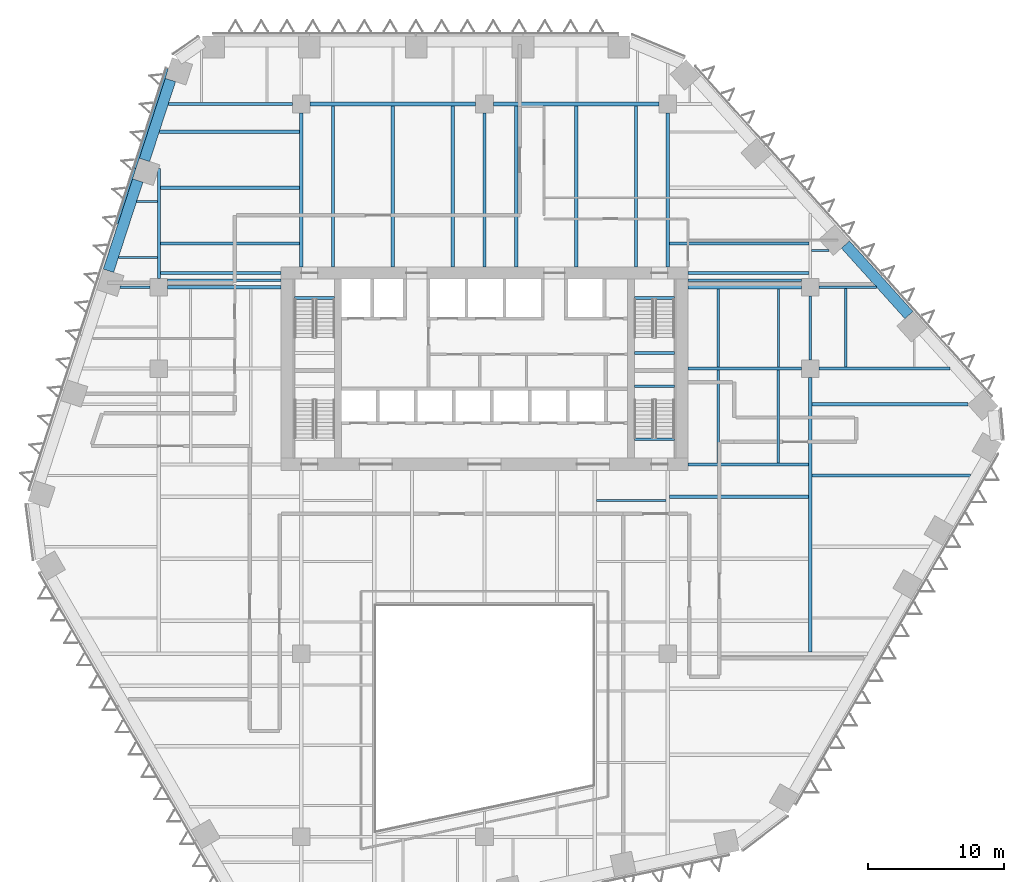
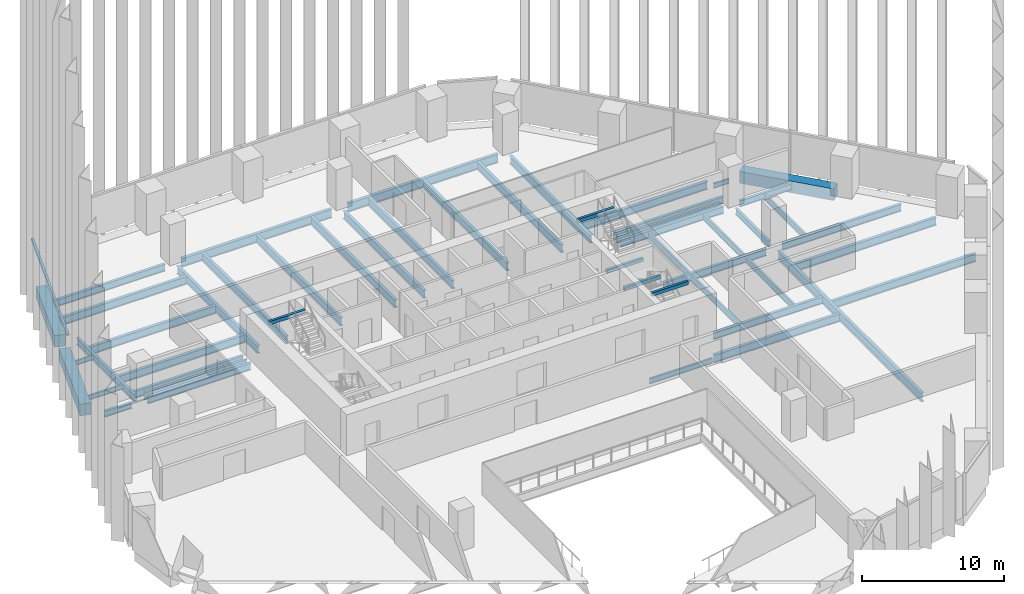
# One storey, part 9 of 24: 50 beams, 2 members, 1 element without a shape of its own.
"""IFC4 building model written with IfcOpenShell, lengths in metres."""

from ifc_helpers import new_model, si_unit, direction, frame, origin, origin_2d, place, context, subcontext, project, spatial, rectangle, i_section, extrude, material, layer, layer_set, material_profile, profile_set, type_object, element, aggregate, save


model = new_model("IFC4")

# Units and contexts
model_context = context("Model", 3, precision=1e-05, world=origin(), true_north=direction((0.0, 1.0)))
body_context = subcontext(model_context, "Body", "Model", "MODEL_VIEW")
ifc_project = project(units=[si_unit("LENGTHUNIT", "METRE"), si_unit("AREAUNIT", "SQUARE_METRE"), si_unit("VOLUMEUNIT", "CUBIC_METRE"), si_unit("PLANEANGLEUNIT", "RADIAN"), si_unit("MASSUNIT", "GRAM", prefix="KILO")], contexts=[model_context])

# Site, building, storey
site_placement = place(None, origin())
site = spatial("IfcSite", under=ifc_project, at=site_placement, CompositionType="ELEMENT")
building_placement = place(site_placement, origin())
building = spatial("IfcBuilding", under=site, at=building_placement, Name="Isthmus Gate Tower", CompositionType="ELEMENT")
storey_placement = place(building_placement, frame((0.0, 0.0, 80.64990234375)))
storey = spatial("IfcBuildingStorey", under=building, at=storey_placement, Name="L18", CompositionType="ELEMENT", Elevation=80.64990234375)

# Curtain wall, members
ifc_material_1 = material(Name="Aluminium, pale champagne anodised", Category="aluminium")
ifc_layer = layer(ifc_material_1, 0.199951171875)
ifc_layer_set = layer_set([ifc_layer], Name="CW-1 UNITISED CURTAIN WALL 200 DEEP")
curtain_wall_type = type_object("IfcCurtainWallType", Name="CW-1 UNITISED CURTAIN WALL 200 DEEP", PredefinedType="NOTDEFINED", material=ifc_layer_set)
curtain_wall_placement = place(storey_placement, origin())
curtain_wall = element("IfcCurtainWall", 1, at=curtain_wall_placement, inside=storey, type_object=curtain_wall_type, Name="CW-1 NW L18", PredefinedType="NOTDEFINED")
ifc_material_2 = material(Name="Aluminium, pale champagne anodised", Category="aluminium")
ifc_material_profile_1 = material_profile(ifc_material_2, rectangle(XDim=0.199951171875, YDim=0.14990234375, at=origin_2d()), Name="200x150")
ifc_profile_set_1 = profile_set([ifc_material_profile_1], Name="Aluminium, pale champagne anodised")
member_type = type_object("IfcMemberType", Name="CW-1 TRANSOM 200 X 150", PredefinedType="USERDEFINED", material=ifc_profile_set_1)
member_1_placement = place(storey_placement, frame((-23.389892578125, 29.6279296875, 3.5751953125), z_axis=(-0.309036077329, -0.951050315656, 0.0), x_axis=(0.951050315656, -0.309036077329, 0.0)))
member_1 = element("IfcMember", 2, at=member_1_placement, type_object=member_type, Name="CW-1 transom", ObjectType="TRANSOM", PredefinedType="USERDEFINED", context=body_context, shape_type="SweptSolid", body=[
    extrude(rectangle(XDim=0.199951171875, YDim=0.14990234375, at=origin_2d()), origin(), (0.0, 0.0, 1.0), 7.7294921875),
])
member_2_placement = place(storey_placement, frame((-25.778564453125, 22.27685546875, 3.5751953125), z_axis=(-0.309021801109, -0.951054954479, 0.0), x_axis=(0.951054954479, -0.309021801109, 0.0)))
member_2 = element("IfcMember", 3, at=member_2_placement, type_object=member_type, Name="CW-1 transom", ObjectType="TRANSOM", PredefinedType="USERDEFINED", context=body_context, shape_type="SweptSolid", body=[
    extrude(rectangle(XDim=0.199951171875, YDim=0.14990234375, at=origin_2d()), origin(), (0.0, 0.0, 1.0), 4.294677734375),
])
aggregate(curtain_wall, [member_1, member_2])

# Beams
ifc_material_3 = material(Name="Concrete f'c 70 MPa", Category="concrete")
ifc_material_profile_2 = material_profile(ifc_material_3, rectangle(XDim=0.800048828125, YDim=1.0, at=origin_2d()), Name="RC 800X1000")
ifc_profile_set_2 = profile_set([ifc_material_profile_2], Name="Concrete f'c 70 MPa")
beam_type_1 = type_object("IfcBeamType", Name="RC SPANDREL 800 X 1000", PredefinedType="SPANDREL", material=ifc_profile_set_2)
for number, where, z_axis, x_axis, name in (
    (4, (26.597900390625, 16.640380859375, -0.5), (0.669128753615, -0.743146493691, 0.0), (0.743146493691, 0.669128753615, 0.0), "str-spandrel-L18-03"),
    (5, (-27.7099609375, 14.71435546875, -0.5), (0.309029993465, 0.951052292537, 0.0), (-0.951052292537, 0.309029993465, 0.0), "str-spandrel-L18-20"),
):
    element("IfcBeam", number, at=place(storey_placement, frame(where, z_axis=z_axis, x_axis=x_axis)), inside=storey, type_object=beam_type_1, Name=name, PredefinedType="SPANDREL", context=body_context, shape_type="SweptSolid", body=[
        extrude(rectangle(XDim=0.800048828125, YDim=1.0, at=origin_2d()), origin(), (0.0, 0.0, 1.0), 6.9892578125),
    ])
beam_1_placement = place(storey_placement, frame((-25.0556640625, 22.88330078125, -0.5), z_axis=(0.309023635203, 0.951054358534, 0.0), x_axis=(-0.951054358534, 0.309023635203, 0.0)))
element("IfcBeam", 6, at=beam_1_placement, inside=storey, type_object=beam_type_1, Name="str-spandrel-L18-21", PredefinedType="SPANDREL", context=body_context, shape_type="SweptSolid", body=[
    extrude(rectangle(XDim=0.800048828125, YDim=1.0, at=origin_2d()), origin(), (0.0, 0.0, 1.0), 6.189208984375),
])
ifc_material_4 = material(Name="Concrete f'c 40 MPa", Category="concrete")
ifc_material_profile_3 = material_profile(ifc_material_4, rectangle(XDim=0.199951171875, YDim=0.300048828125, at=origin_2d()), Name="STAIR LANDING BEAM RC 200 X 300")
ifc_profile_set_3 = profile_set([ifc_material_profile_3], Name="Concrete f'c 40 MPa")
beam_type_2 = type_object("IfcBeamType", Name="STAIR LANDING BEAM RC 200 X 300", PredefinedType="BEAM", material=ifc_profile_set_3)
for number, where, z_axis, x_axis, name in (
    (7, (-14.0, 12.7001953125, 3.35009765625), (1.0, 0.0, 0.0), (0.0, 1.0, 0.0), "L18 ST1 floor-edge seat beam"),
    (8, (11.050048828125, 8.64990234375, 1.47509765625), (1.0, 0.0, 0.0), (0.0, 1.0, 0.0), "L18 ST2 landing beam 1"),
    (9, (11.050048828125, 12.7001953125, 3.35009765625), (1.0, 0.0, 0.0), (0.0, 1.0, 0.0), "L18 ST2 floor-edge seat beam"),
    (10, (11.050048828125, 6.199951171875, 1.47509765625), (1.0, 0.0, 0.0), (0.0, 1.0, 0.0), "L18 ST8 landing beam 1"),
    (11, (11.050048828125, 2.2998046875, 3.35009765625), (1.0, 0.0, 0.0), (0.0, 1.0, 0.0), "L18 ST8 floor-edge seat beam"),
):
    element("IfcBeam", number, at=place(storey_placement, frame(where, z_axis=z_axis, x_axis=x_axis)), inside=storey, type_object=beam_type_2, Name=name, PredefinedType="BEAM", context=body_context, shape_type="SweptSolid", body=[
        extrude(rectangle(XDim=0.199951171875, YDim=0.300048828125, at=origin_2d()), origin(), (0.0, 0.0, 1.0), 2.949951171875),
    ])
ifc_material_5 = material(Name="Structural steel ASTM A992 Gr 50", Category="steel")
ifc_material_profile_4 = material_profile(ifc_material_5, i_section(OverallWidth=0.1396484375, OverallDepth=0.4033203125, WebThickness=0.00634765625, FlangeThickness=0.010986328125, at=origin_2d()), Name="W16X31")
ifc_profile_set_4 = profile_set([ifc_material_profile_4], Name="Structural steel ASTM A992 Gr 50")
beam_type_3 = type_object("IfcBeamType", Name="STEEL FLOOR BEAM W16X31", PredefinedType="JOIST", material=ifc_profile_set_4)
beam_2_placement = place(storey_placement, frame((-26.976318359375, 15.677978515625, -0.3515625), z_axis=(1.0, 0.0, 0.0), x_axis=(0.0, 1.0, 0.0)))
element("IfcBeam", 12, at=beam_2_placement, inside=storey, type_object=beam_type_3, Name="str-beam-L18-02-00", PredefinedType="JOIST", context=body_context, shape_type="SweptSolid", body=[
    extrude(i_section(OverallWidth=0.1396484375, OverallDepth=0.4033203125, WebThickness=0.00634765625, FlangeThickness=0.010986328125, at=origin_2d()), origin(), (0.0, 0.0, 1.0), 2.862060546875),
])
beam_3_placement = place(storey_placement, frame((-25.629150390625, 19.82421875, -0.3515625), z_axis=(1.0, 0.0, 0.0), x_axis=(0.0, 1.0, 0.0)))
element("IfcBeam", 13, at=beam_3_placement, inside=storey, type_object=beam_type_3, Name="str-beam-L18-02-01", PredefinedType="JOIST", context=body_context, shape_type="SweptSolid", body=[
    extrude(i_section(OverallWidth=0.1396484375, OverallDepth=0.4033203125, WebThickness=0.00634765625, FlangeThickness=0.010986328125, at=origin_2d()), origin(), (0.0, 0.0, 1.0), 1.514892578125),
])
beam_4_placement = place(storey_placement, frame((24.104736328125, 16.208251953125, -0.3515625), z_axis=(1.0, 0.0, 0.0), x_axis=(0.0, 1.0, 0.0)))
element("IfcBeam", 14, at=beam_4_placement, inside=storey, type_object=beam_type_3, Name="str-beam-L18-32-00", PredefinedType="JOIST", context=body_context, shape_type="SweptSolid", body=[
    extrude(i_section(OverallWidth=0.1396484375, OverallDepth=0.4033203125, WebThickness=0.00634765625, FlangeThickness=0.010986328125, at=origin_2d()), origin(), (0.0, 0.0, 1.0), 1.267578125),
])
ifc_material_6 = material(Name="Structural steel ASTM A992 Gr 50", Category="steel")
ifc_material_profile_5 = material_profile(ifc_material_6, i_section(OverallWidth=0.15234375, OverallDepth=0.45068359375, WebThickness=0.0078125, FlangeThickness=0.010986328125, at=origin_2d()), Name="W18X35")
ifc_profile_set_5 = profile_set([ifc_material_profile_5], Name="Structural steel ASTM A992 Gr 50")
beam_type_4 = type_object("IfcBeamType", Name="STEEL FLOOR BEAM W18X35", PredefinedType="JOIST", material=ifc_profile_set_5)
beam_5_placement = place(storey_placement, frame((8.263427734375, -2.232421875, -0.375244140625), z_axis=(1.0, 0.0, 0.0), x_axis=(0.0, 1.0, 0.0)))
element("IfcBeam", 15, at=beam_5_placement, inside=storey, type_object=beam_type_4, Name="str-beam-L18-24-02", PredefinedType="JOIST", context=body_context, shape_type="SweptSolid", body=[
    extrude(i_section(OverallWidth=0.15234375, OverallDepth=0.45068359375, WebThickness=0.0078125, FlangeThickness=0.010986328125, at=origin_2d()), origin(), (0.0, 0.0, 1.0), 5.104736328125),
])
ifc_material_7 = material(Name="Structural steel ASTM A992 Gr 50", Category="steel")
ifc_material_profile_6 = material_profile(ifc_material_7, i_section(OverallWidth=0.1650390625, OverallDepth=0.52392578125, WebThickness=0.009521484375, FlangeThickness=0.010986328125, at=origin_2d()), Name="W21X44")
ifc_profile_set_6 = profile_set([ifc_material_profile_6], Name="Structural steel ASTM A992 Gr 50")
beam_type_5 = type_object("IfcBeamType", Name="STEEL FLOOR BEAM W21X44", PredefinedType="JOIST", material=ifc_profile_set_6)
for number, where, z_axis, x_axis, name in (
    (16, (17.223876953125, 7.6142578125, -0.411865234375), (0.0, 1.0, 0.0), (-1.0, 0.0, 0.0), "str-beam-L18-30-00"),
    (17, (21.67138671875, 7.6142578125, -0.411865234375), (0.0, 1.0, 0.0), (-1.0, 0.0, 0.0), "str-beam-L18-30-01"),
):
    element("IfcBeam", number, at=place(storey_placement, frame(where, z_axis=z_axis, x_axis=x_axis)), inside=storey, type_object=beam_type_5, Name=name, PredefinedType="JOIST", context=body_context, shape_type="SweptSolid", body=[
        extrude(i_section(OverallWidth=0.1650390625, OverallDepth=0.52392578125, WebThickness=0.009521484375, FlangeThickness=0.010986328125, at=origin_2d()), origin(), (0.0, 0.0, 1.0), 5.771484375),
    ])
for number, where, z_axis, x_axis, name in (
    (18, (17.216552734375, 0.564208984375, -0.411865234375), (0.0, 1.0, 0.0), (-1.0, 0.0, 0.0), "str-beam-L18-31-00"),
    (19, (21.64990234375, 0.564208984375, -0.411865234375), (0.0, 1.0, 0.0), (-1.0, 0.0, 0.0), "str-beam-L18-31-01"),
):
    element("IfcBeam", number, at=place(storey_placement, frame(where, z_axis=z_axis, x_axis=x_axis)), inside=storey, type_object=beam_type_5, Name=name, PredefinedType="JOIST", context=body_context, shape_type="SweptSolid", body=[
        extrude(i_section(OverallWidth=0.1650390625, OverallDepth=0.52392578125, WebThickness=0.009521484375, FlangeThickness=0.010986328125, at=origin_2d()), origin(), (0.0, 0.0, 1.0), 6.821533203125),
    ])
beam_6_placement = place(storey_placement, frame((26.625244140625, 7.6142578125, -0.411865234375), z_axis=(0.0, 1.0, 0.0), x_axis=(-1.0, 0.0, 0.0)))
element("IfcBeam", 20, at=beam_6_placement, inside=storey, type_object=beam_type_5, Name="str-beam-L18-33-00", PredefinedType="JOIST", context=body_context, shape_type="SweptSolid", body=[
    extrude(i_section(OverallWidth=0.1650390625, OverallDepth=0.52392578125, WebThickness=0.009521484375, FlangeThickness=0.010986328125, at=origin_2d()), origin(), (0.0, 0.0, 1.0), 5.781005859375),
])
ifc_material_8 = material(Name="Structural steel ASTM A992 Gr 50", Category="steel")
ifc_material_profile_7 = material_profile(ifc_material_8, i_section(OverallWidth=0.177734375, OverallDepth=0.60009765625, WebThickness=0.009521484375, FlangeThickness=0.0126953125, at=origin_2d()), Name="W24X55")
ifc_profile_set_7 = profile_set([ifc_material_profile_7], Name="Structural steel ASTM A992 Gr 50")
beam_type_6 = type_object("IfcBeamType", Name="STEEL FLOOR BEAM W24X55", PredefinedType="JOIST", material=ifc_profile_set_7)
for number, where, z_axis, x_axis, name in (
    (21, (-23.35009765625, 14.02490234375, -0.449951171875), (1.0, 0.0, 0.0), (0.0, 1.0, 0.0), "str-beam-L18-05-00"),
    (22, (15.0, 14.02490234375, -0.449951171875), (1.0, 0.0, 0.0), (0.0, 1.0, 0.0), "str-beam-L18-29-00"),
):
    element("IfcBeam", number, at=place(storey_placement, frame(where, z_axis=z_axis, x_axis=x_axis)), inside=storey, type_object=beam_type_6, Name=name, PredefinedType="JOIST", context=body_context, shape_type="SweptSolid", body=[
        extrude(i_section(OverallWidth=0.177734375, OverallDepth=0.60009765625, WebThickness=0.009521484375, FlangeThickness=0.0126953125, at=origin_2d()), origin(), (0.0, 0.0, 1.0), 8.35009765625),
    ])
ifc_material_9 = material(Name="Structural steel ASTM A992 Gr 50", Category="steel")
ifc_material_profile_8 = material_profile(ifc_material_9, i_section(OverallWidth=0.25390625, OverallDepth=0.679443359375, WebThickness=0.010986328125, FlangeThickness=0.015869140625, at=origin_2d()), Name="W27X84")
ifc_profile_set_8 = profile_set([ifc_material_profile_8], Name="Structural steel ASTM A992 Gr 50")
beam_type_7 = type_object("IfcBeamType", Name="STEEL FLOOR BEAM W27X84", PredefinedType="JOIST", material=ifc_profile_set_8)
for number, where, z_axis, x_axis, name in (
    (23, (-23.8857421875, 16.72021484375, -0.489501953125), (1.0, 0.0, 0.0), (0.0, 1.0, 0.0), "str-beam-L18-07-00"),
    (24, (-23.8857421875, 20.83203125, -0.489501953125), (1.0, 0.0, 0.0), (0.0, 1.0, 0.0), "str-beam-L18-07-01"),
):
    element("IfcBeam", number, at=place(storey_placement, frame(where, z_axis=z_axis, x_axis=x_axis)), inside=storey, type_object=beam_type_7, Name=name, PredefinedType="JOIST", context=body_context, shape_type="SweptSolid", body=[
        extrude(i_section(OverallWidth=0.25390625, OverallDepth=0.679443359375, WebThickness=0.010986328125, FlangeThickness=0.015869140625, at=origin_2d()), origin(), (0.0, 0.0, 1.0), 10.2587890625),
    ])
beam_7_placement = place(storey_placement, frame((-23.965576171875, 24.944091796875, -0.489501953125), z_axis=(1.0, 0.0, 0.0), x_axis=(0.0, 1.0, 0.0)))
element("IfcBeam", 25, at=beam_7_placement, inside=storey, type_object=beam_type_7, Name="str-beam-L18-07-02", PredefinedType="JOIST", context=body_context, shape_type="SweptSolid", body=[
    extrude(i_section(OverallWidth=0.25390625, OverallDepth=0.679443359375, WebThickness=0.010986328125, FlangeThickness=0.015869140625, at=origin_2d()), origin(), (0.0, 0.0, 1.0), 10.338623046875),
])
for number, where, z_axis, x_axis, name in (
    (26, (-11.165283203125, 15.0, -0.489501953125), (0.0, 1.0, 0.0), (-1.0, 0.0, 0.0), "str-beam-L18-14-00"),
    (27, (-6.75, 15.0, -0.489501953125), (0.0, 1.0, 0.0), (-1.0, 0.0, 0.0), "str-beam-L18-14-01"),
    (28, (-2.334716796875, 15.0, -0.489501953125), (0.0, 1.0, 0.0), (-1.0, 0.0, 0.0), "str-beam-L18-14-02"),
    (29, (2.334716796875, 15.0, -0.489501953125), (0.0, 1.0, 0.0), (-1.0, 0.0, 0.0), "str-beam-L18-21-00"),
    (30, (6.75, 15.0, -0.489501953125), (0.0, 1.0, 0.0), (-1.0, 0.0, 0.0), "str-beam-L18-21-01"),
    (31, (11.165283203125, 15.0, -0.489501953125), (0.0, 1.0, 0.0), (-1.0, 0.0, 0.0), "str-beam-L18-21-02"),
):
    element("IfcBeam", number, at=place(storey_placement, frame(where, z_axis=z_axis, x_axis=x_axis)), inside=storey, type_object=beam_type_7, Name=name, PredefinedType="JOIST", context=body_context, shape_type="SweptSolid", body=[
        extrude(i_section(OverallWidth=0.25390625, OverallDepth=0.679443359375, WebThickness=0.010986328125, FlangeThickness=0.015869140625, at=origin_2d()), origin(), (0.0, 0.0, 1.0), 11.8681640625),
    ])
beam_8_placement = place(storey_placement, frame((13.626953125, 16.72021484375, -0.489501953125), z_axis=(1.0, 0.0, 0.0), x_axis=(0.0, 1.0, 0.0)))
element("IfcBeam", 32, at=beam_8_placement, inside=storey, type_object=beam_type_7, Name="str-beam-L18-26-00", PredefinedType="JOIST", context=body_context, shape_type="SweptSolid", body=[
    extrude(i_section(OverallWidth=0.25390625, OverallDepth=0.679443359375, WebThickness=0.010986328125, FlangeThickness=0.015869140625, at=origin_2d()), origin(), (0.0, 0.0, 1.0), 10.268310546875),
])
beam_9_placement = place(storey_placement, frame((13.6318359375, -1.947998046875, -0.489501953125), z_axis=(1.0, 0.0, 0.0), x_axis=(0.0, 1.0, 0.0)))
element("IfcBeam", 33, at=beam_9_placement, inside=storey, type_object=beam_type_7, Name="str-beam-L18-27-02", PredefinedType="JOIST", context=body_context, shape_type="SweptSolid", body=[
    extrude(i_section(OverallWidth=0.25390625, OverallDepth=0.679443359375, WebThickness=0.010986328125, FlangeThickness=0.015869140625, at=origin_2d()), origin(), (0.0, 0.0, 1.0), 10.23486328125),
])
beam_10_placement = place(storey_placement, frame((24.13330078125, -0.375, -0.489501953125), z_axis=(1.0, 0.0, 0.0), x_axis=(0.0, 1.0, 0.0)))
element("IfcBeam", 34, at=beam_10_placement, inside=storey, type_object=beam_type_7, Name="str-beam-L18-34-02", PredefinedType="JOIST", context=body_context, shape_type="SweptSolid", body=[
    extrude(i_section(OverallWidth=0.25390625, OverallDepth=0.679443359375, WebThickness=0.010986328125, FlangeThickness=0.015869140625, at=origin_2d()), origin(), (0.0, 0.0, 1.0), 11.6767578125),
])
beam_11_placement = place(storey_placement, frame((24.13330078125, 4.875, -0.489501953125), z_axis=(1.0, 0.0, 0.0), x_axis=(0.0, 1.0, 0.0)))
element("IfcBeam", 35, at=beam_11_placement, inside=storey, type_object=beam_type_7, Name="str-beam-L18-34-03", PredefinedType="JOIST", context=body_context, shape_type="SweptSolid", body=[
    extrude(i_section(OverallWidth=0.25390625, OverallDepth=0.679443359375, WebThickness=0.010986328125, FlangeThickness=0.015869140625, at=origin_2d()), origin(), (0.0, 0.0, 1.0), 11.484130859375),
])
ifc_material_10 = material(Name="Structural steel ASTM A992 Gr 50", Category="steel")
ifc_material_profile_9 = material_profile(ifc_material_10, i_section(OverallWidth=0.20947265625, OverallDepth=0.533447265625, WebThickness=0.009521484375, FlangeThickness=0.015869140625, at=origin_2d()), Name="W21X62")
ifc_profile_set_9 = profile_set([ifc_material_profile_9], Name="Structural steel ASTM A992 Gr 50")
beam_type_8 = type_object("IfcBeamType", Name="STEEL GIRDER W21X62", PredefinedType="BEAM", material=ifc_profile_set_9)
beam_12_placement = place(storey_placement, frame((-26.8427734375, 13.5, -0.41650390625), z_axis=(1.0, 0.0, 0.0), x_axis=(0.0, 1.0, 0.0)))
element("IfcBeam", 36, at=beam_12_placement, inside=storey, type_object=beam_type_8, Name="str-girder-L18-13", PredefinedType="BEAM", context=body_context, shape_type="SweptSolid", body=[
    extrude(i_section(OverallWidth=0.20947265625, OverallDepth=0.533447265625, WebThickness=0.009521484375, FlangeThickness=0.015869140625, at=origin_2d()), origin(), (0.0, 0.0, 1.0), 2.19287109375),
])
beam_13_placement = place(storey_placement, frame((24.64990234375, 13.5, -0.41650390625), z_axis=(1.0, 0.0, 0.0), x_axis=(0.0, 1.0, 0.0)))
element("IfcBeam", 37, at=beam_13_placement, inside=storey, type_object=beam_type_8, Name="str-girder-L18-16", PredefinedType="BEAM", context=body_context, shape_type="SweptSolid", body=[
    extrude(i_section(OverallWidth=0.20947265625, OverallDepth=0.533447265625, WebThickness=0.009521484375, FlangeThickness=0.015869140625, at=origin_2d()), origin(), (0.0, 0.0, 1.0), 4.2373046875),
])
beam_14_placement = place(storey_placement, frame((24.0, 8.14990234375, -0.41650390625), z_axis=(0.0, 1.0, 0.0), x_axis=(-1.0, 0.0, 0.0)))
element("IfcBeam", 38, at=beam_14_placement, inside=storey, type_object=beam_type_8, Name="str-girder-L18-37", PredefinedType="BEAM", context=body_context, shape_type="SweptSolid", body=[
    extrude(i_section(OverallWidth=0.20947265625, OverallDepth=0.533447265625, WebThickness=0.009521484375, FlangeThickness=0.015869140625, at=origin_2d()), origin(), (0.0, 0.0, 1.0), 4.7001953125),
])
ifc_material_11 = material(Name="Structural steel ASTM A992 Gr 50", Category="steel")
ifc_material_profile_10 = material_profile(ifc_material_11, i_section(OverallWidth=0.228515625, OverallDepth=0.6064453125, WebThickness=0.010986328125, FlangeThickness=0.017578125, at=origin_2d()), Name="W24X76")
ifc_profile_set_10 = profile_set([ifc_material_profile_10], Name="Structural steel ASTM A992 Gr 50")
beam_type_9 = type_object("IfcBeamType", Name="STEEL GIRDER W24X76", PredefinedType="BEAM", material=ifc_profile_set_10)
beam_15_placement = place(storey_placement, frame((15.0, 7.5, -0.453125), z_axis=(1.0, 0.0, 0.0), x_axis=(0.0, 1.0, 0.0)))
element("IfcBeam", 39, at=beam_15_placement, inside=storey, type_object=beam_type_9, Name="str-girder-L18-11", PredefinedType="BEAM", context=body_context, shape_type="SweptSolid", body=[
    extrude(i_section(OverallWidth=0.228515625, OverallDepth=0.6064453125, WebThickness=0.010986328125, FlangeThickness=0.017578125, at=origin_2d()), origin(), (0.0, 0.0, 1.0), 8.35009765625),
])
beam_16_placement = place(storey_placement, frame((24.64990234375, 7.5, -0.453125), z_axis=(1.0, 0.0, 0.0), x_axis=(0.0, 1.0, 0.0)))
element("IfcBeam", 40, at=beam_16_placement, inside=storey, type_object=beam_type_9, Name="str-girder-L18-12", PredefinedType="BEAM", context=body_context, shape_type="SweptSolid", body=[
    extrude(i_section(OverallWidth=0.228515625, OverallDepth=0.6064453125, WebThickness=0.010986328125, FlangeThickness=0.017578125, at=origin_2d()), origin(), (0.0, 0.0, 1.0), 9.639892578125),
])
for number, where, z_axis, x_axis, name in (
    (41, (-23.35009765625, 13.5, -0.453125), (1.0, 0.0, 0.0), (0.0, 1.0, 0.0), "str-girder-L18-14"),
    (42, (15.0, 13.5, -0.453125), (1.0, 0.0, 0.0), (0.0, 1.0, 0.0), "str-girder-L18-15"),
):
    element("IfcBeam", number, at=place(storey_placement, frame(where, z_axis=z_axis, x_axis=x_axis)), inside=storey, type_object=beam_type_9, Name=name, PredefinedType="BEAM", context=body_context, shape_type="SweptSolid", body=[
        extrude(i_section(OverallWidth=0.228515625, OverallDepth=0.6064453125, WebThickness=0.010986328125, FlangeThickness=0.017578125, at=origin_2d()), origin(), (0.0, 0.0, 1.0), 8.35009765625),
    ])
beam_17_placement = place(storey_placement, frame((-23.297607421875, 27.0, -0.453125), z_axis=(1.0, 0.0, 0.0), x_axis=(0.0, 1.0, 0.0)))
element("IfcBeam", 43, at=beam_17_placement, inside=storey, type_object=beam_type_9, Name="str-girder-L18-17", PredefinedType="BEAM", context=body_context, shape_type="SweptSolid", body=[
    extrude(i_section(OverallWidth=0.228515625, OverallDepth=0.6064453125, WebThickness=0.010986328125, FlangeThickness=0.017578125, at=origin_2d()), origin(), (0.0, 0.0, 1.0), 9.147705078125),
])
beam_18_placement = place(storey_placement, frame((-24.0, 14.14990234375, -0.453125), z_axis=(0.0, 1.0, 0.0), x_axis=(-1.0, 0.0, 0.0)))
element("IfcBeam", 44, at=beam_18_placement, inside=storey, type_object=beam_type_9, Name="str-girder-L18-23", PredefinedType="BEAM", context=body_context, shape_type="SweptSolid", body=[
    extrude(i_section(OverallWidth=0.228515625, OverallDepth=0.6064453125, WebThickness=0.010986328125, FlangeThickness=0.017578125, at=origin_2d()), origin(), (0.0, 0.0, 1.0), 8.099365234375),
])
beam_19_placement = place(storey_placement, frame((15.0, 0.449951171875, -0.453125), z_axis=(1.0, 0.0, 0.0), x_axis=(0.0, 1.0, 0.0)))
element("IfcBeam", 45, at=beam_19_placement, inside=storey, type_object=beam_type_9, Name="str-girder-L18-40", PredefinedType="BEAM", context=body_context, shape_type="SweptSolid", body=[
    extrude(i_section(OverallWidth=0.228515625, OverallDepth=0.6064453125, WebThickness=0.010986328125, FlangeThickness=0.017578125, at=origin_2d()), origin(), (0.0, 0.0, 1.0), 8.86669921875),
])
beam_20_placement = place(storey_placement, frame((-15.0, 14.550048828125, -0.453125), z_axis=(-1.0, 0.0, 0.0), x_axis=(0.0, -1.0, 0.0)))
element("IfcBeam", 46, at=beam_20_placement, inside=storey, type_object=beam_type_9, Name="str-girder-L18-41", PredefinedType="BEAM", context=body_context, shape_type="SweptSolid", body=[
    extrude(i_section(OverallWidth=0.228515625, OverallDepth=0.6064453125, WebThickness=0.010986328125, FlangeThickness=0.017578125, at=origin_2d()), origin(), (0.0, 0.0, 1.0), 8.8857421875),
])
beam_21_placement = place(storey_placement, frame((15.0, 14.550048828125, -0.453125), z_axis=(1.0, 0.0, 0.0), x_axis=(0.0, 1.0, 0.0)))
element("IfcBeam", 47, at=beam_21_placement, inside=storey, type_object=beam_type_9, Name="str-girder-L18-42", PredefinedType="BEAM", context=body_context, shape_type="SweptSolid", body=[
    extrude(i_section(OverallWidth=0.228515625, OverallDepth=0.6064453125, WebThickness=0.010986328125, FlangeThickness=0.017578125, at=origin_2d()), origin(), (0.0, 0.0, 1.0), 8.895263671875),
])
ifc_material_12 = material(Name="Structural steel ASTM A992 Gr 50", Category="steel")
ifc_material_profile_11 = material_profile(ifc_material_12, i_section(OverallWidth=0.25390625, OverallDepth=0.679443359375, WebThickness=0.010986328125, FlangeThickness=0.015869140625, at=origin_2d()), Name="W27X84")
ifc_profile_set_11 = profile_set([ifc_material_profile_11], Name="Structural steel ASTM A992 Gr 50")
beam_type_10 = type_object("IfcBeamType", Name="STEEL GIRDER W27X84", PredefinedType="BEAM", material=ifc_profile_set_11)
for number, where, z_axis, x_axis, name in (
    (48, (-13.5, 15.0, -0.489501953125), (0.0, 1.0, 0.0), (-1.0, 0.0, 0.0), "str-girder-L18-27"),
    (49, (0.0, 15.0, -0.489501953125), (0.0, 1.0, 0.0), (-1.0, 0.0, 0.0), "str-girder-L18-30"),
    (50, (13.5, 15.0, -0.489501953125), (0.0, 1.0, 0.0), (-1.0, 0.0, 0.0), "str-girder-L18-34"),
):
    element("IfcBeam", number, at=place(storey_placement, frame(where, z_axis=z_axis, x_axis=x_axis)), inside=storey, type_object=beam_type_10, Name=name, PredefinedType="BEAM", context=body_context, shape_type="SweptSolid", body=[
        extrude(i_section(OverallWidth=0.25390625, OverallDepth=0.679443359375, WebThickness=0.010986328125, FlangeThickness=0.015869140625, at=origin_2d()), origin(), (0.0, 0.0, 1.0), 11.35009765625),
    ])
ifc_material_13 = material(Name="Structural steel ASTM A992 Gr 50", Category="steel")
ifc_material_profile_12 = material_profile(ifc_material_13, i_section(OverallWidth=0.2666015625, OverallDepth=0.7587890625, WebThickness=0.014404296875, FlangeThickness=0.01904296875, at=origin_2d()), Name="W30X108")
ifc_profile_set_12 = profile_set([ifc_material_profile_12], Name="Structural steel ASTM A992 Gr 50")
beam_type_11 = type_object("IfcBeamType", Name="STEEL GIRDER W30X108", PredefinedType="BEAM", material=ifc_profile_set_12)
beam_22_placement = place(storey_placement, frame((24.0, -13.36669921875, -0.529296875), z_axis=(0.0, 1.0, 0.0), x_axis=(-1.0, 0.0, 0.0)))
element("IfcBeam", 51, at=beam_22_placement, inside=storey, type_object=beam_type_11, Name="str-girder-L18-36", PredefinedType="BEAM", context=body_context, shape_type="SweptSolid", body=[
    extrude(i_section(OverallWidth=0.2666015625, OverallDepth=0.7587890625, WebThickness=0.014404296875, FlangeThickness=0.01904296875, at=origin_2d()), origin(), (0.0, 0.0, 1.0), 20.216796875),
])
ifc_material_14 = material(Name="Structural steel ASTM A992 Gr 50", Category="steel")
ifc_material_profile_13 = material_profile(ifc_material_14, i_section(OverallWidth=0.263427734375, OverallDepth=0.749267578125, WebThickness=0.0126953125, FlangeThickness=0.015869140625, at=origin_2d()), Name="W30X90")
ifc_profile_set_13 = profile_set([ifc_material_profile_13], Name="Structural steel ASTM A992 Gr 50")
beam_type_12 = type_object("IfcBeamType", Name="STEEL GIRDER W30X90", PredefinedType="BEAM", material=ifc_profile_set_13)
for number, where, z_axis, x_axis, name in (
    (52, (-12.85009765625, 27.0, -0.524658203125), (1.0, 0.0, 0.0), (0.0, 1.0, 0.0), "str-girder-L18-18"),
    (53, (0.64990234375, 27.0, -0.524658203125), (1.0, 0.0, 0.0), (0.0, 1.0, 0.0), "str-girder-L18-19"),
):
    element("IfcBeam", number, at=place(storey_placement, frame(where, z_axis=z_axis, x_axis=x_axis)), inside=storey, type_object=beam_type_12, Name=name, PredefinedType="BEAM", context=body_context, shape_type="SweptSolid", body=[
        extrude(i_section(OverallWidth=0.263427734375, OverallDepth=0.749267578125, WebThickness=0.0126953125, FlangeThickness=0.015869140625, at=origin_2d()), origin(), (0.0, 0.0, 1.0), 12.2001953125),
    ])

save(model, "model.ifc")
